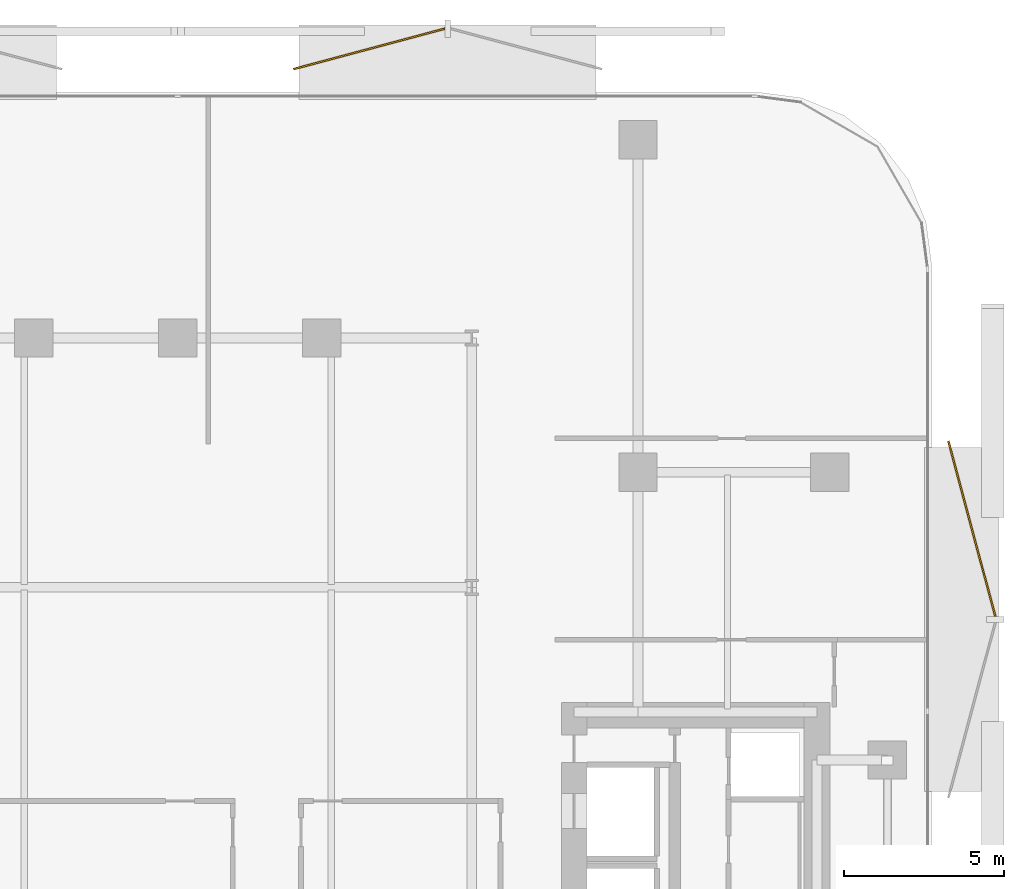
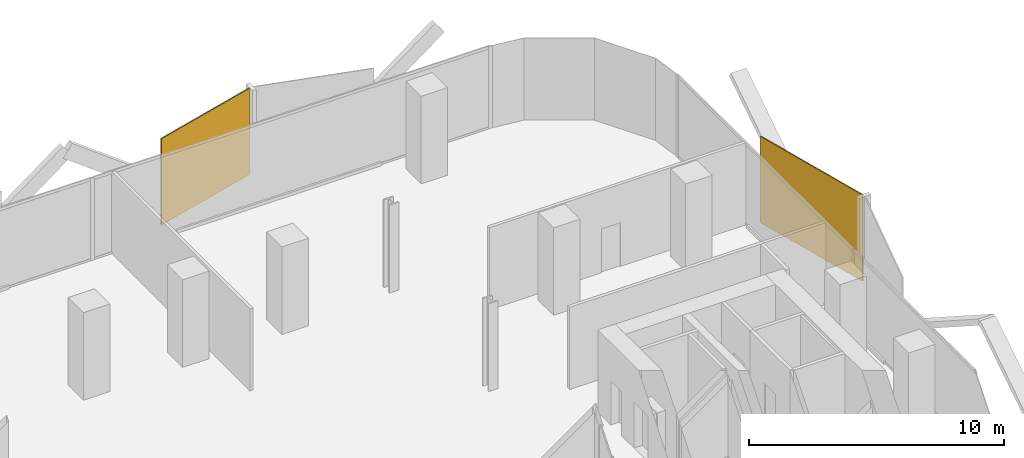
# One storey, part 15 of 15: 2 coverings.
"""IFC4 building model written with IfcOpenShell, lengths in metres."""

import ifcopenshell
import ifcopenshell.guid

model = None  # the IFC model being written
_history = None  # IfcOwnerHistory: only IFC2X3 demands one
_inside = {}  # id of a spatial element -> (the spatial element, [elements in it])
_under = {}  # id of a project, library or spatial element -> (it, [spatial elements below it])
_declared = {}  # id of a project -> (the project, [libraries it declares])
_typed = {}  # id of a type object -> (the type object, [elements of that type])
_made_of = {}  # id of a material, layer set ... -> (it, [elements and type objects made of it])


def new_model(schema):
    """Start an empty IFC model of exactly this schema.

    Asked for "IFC4X3", IfcOpenShell would pick the latest addendum, in which some entities
    have other attributes; the version numbers below select the first issue.
    IFC2X3 requires an IfcOwnerHistory on every rooted entity: one is made here for all.
    """
    global model, _history
    if schema == "IFC4X3":
        model = ifcopenshell.file(schema_version=(4, 3, 0, 0))
    else:
        model = ifcopenshell.file(schema=schema)
    _inside.clear()
    _under.clear()
    _declared.clear()
    _typed.clear()
    _made_of.clear()
    _history = None
    if model.schema == "IFC2X3":
        org = make("IfcOrganization", Name="unknown")
        user = make(
            "IfcPersonAndOrganization",
            ThePerson=make("IfcPerson", FamilyName="unknown"),
            TheOrganization=org,
        )
        app = make(
            "IfcApplication",
            ApplicationDeveloper=org,
            Version="unknown",
            ApplicationFullName="unknown",
            ApplicationIdentifier="unknown",
        )
        _history = make(
            "IfcOwnerHistory",
            OwningUser=user,
            OwningApplication=app,
            ChangeAction="ADDED",
            CreationDate=0,
        )
    return model


def make(cls, **values):
    """One entity of the class cls with the attributes given. An attribute that is None is left unset."""
    return model.create_entity(
        cls, **{name: value for name, value in values.items() if value is not None}
    )


def rooted(cls, **values):
    """An entity with a GlobalId (a new one), such as an element, a storey or a relation."""
    return make(cls, GlobalId=ifcopenshell.guid.new(), OwnerHistory=_history, **values)


def si_unit(unit_type, name, prefix=None):
    """IfcSIUnit, for example si_unit("LENGTHUNIT", "METRE", prefix="MILLI")."""
    return make("IfcSIUnit", UnitType=unit_type, Prefix=prefix, Name=name)


def assignment(units):
    """IfcUnitAssignment: the units of a project."""
    return None if units is None else make("IfcUnitAssignment", Units=units)


def point(xyz):
    """IfcCartesianPoint."""
    return None if xyz is None else make("IfcCartesianPoint", Coordinates=xyz)


def direction(xyz):
    """IfcDirection."""
    return None if xyz is None else make("IfcDirection", DirectionRatios=xyz)


def frame(location, z_axis=None, x_axis=None):
    """IfcAxis2Placement3D, a coordinate frame: its origin and axes. An axis left out is left unset."""
    return make(
        "IfcAxis2Placement3D",
        Location=point(location),
        Axis=direction(z_axis),
        RefDirection=direction(x_axis),
    )


def frame_2d(location, x_axis=None):
    """IfcAxis2Placement2D, a coordinate frame in the plane: its origin and x axis."""
    return make(
        "IfcAxis2Placement2D", Location=point(location), RefDirection=direction(x_axis)
    )


def origin():
    """The frame at (0, 0, 0) with its axes left unset."""
    return frame((0.0, 0.0, 0.0))


def origin_2d():
    """The frame at (0, 0) in the plane with its x axis left unset."""
    return frame_2d((0.0, 0.0))


def place(relative_to, where):
    """IfcLocalPlacement: puts the frame where relative to a parent placement (None: the world)."""
    return make(
        "IfcLocalPlacement", PlacementRelTo=relative_to, RelativePlacement=where
    )


def context(
    kind, dimensions, precision=None, world=None, true_north=None, identifier=None
):
    """IfcGeometricRepresentationContext, for example the 3D "Model" context."""
    return make(
        "IfcGeometricRepresentationContext",
        ContextIdentifier=identifier,
        ContextType=kind,
        CoordinateSpaceDimension=dimensions,
        Precision=precision,
        WorldCoordinateSystem=world,
        TrueNorth=true_north,
    )


def subcontext(parent, identifier, kind, view, scale=None):
    """IfcGeometricRepresentationSubContext, for example "Body" below "Model"."""
    return make(
        "IfcGeometricRepresentationSubContext",
        ContextIdentifier=identifier,
        ContextType=kind,
        ParentContext=parent,
        TargetScale=scale,
        TargetView=view,
    )


def project(units=None, contexts=None):
    """IfcProject with its units and contexts."""
    return rooted(
        "IfcProject",
        Name="project",
        RepresentationContexts=contexts,
        UnitsInContext=assignment(units),
    )


def spatial(cls, under=None, at=None, **own):
    """A site, building, storey or space (cls), placed at a placement, below another one or the project."""
    s = rooted(cls, ObjectPlacement=at, **own)
    if under is not None:
        _under.setdefault(under.id(), (under, []))[1].append(s)
    return s


def profile(cls, at=None, kind="AREA", **sizes):
    """A parametric profile (cls). Its sizes go by their IFC names, for example OverallWidth=200.0."""
    return make(cls, ProfileType=kind, Position=at, **sizes)


def rectangle(**sizes):
    """IfcRectangleProfileDef."""
    return profile("IfcRectangleProfileDef", **sizes)


def extrude(swept, where, along, depth):
    """IfcExtrudedAreaSolid: the profile swept, set in the frame where, extruded along a direction by depth."""
    return make(
        "IfcExtrudedAreaSolid",
        SweptArea=swept,
        Position=where,
        ExtrudedDirection=direction(along),
        Depth=depth,
    )


def shape(context_of_items, identifier, shape_type, items):
    """IfcShapeRepresentation: the items that make up one representation, for example the "Body"."""
    return make(
        "IfcShapeRepresentation",
        ContextOfItems=context_of_items,
        RepresentationIdentifier=identifier,
        RepresentationType=shape_type,
        Items=items,
    )


def material(Name=None, Category=None):
    """IfcMaterial."""
    return make("IfcMaterial", Name=Name, Category=Category)


def layer(
    of_material, thickness, ventilated=None, Name=None, Category=None, Priority=None
):
    """IfcMaterialLayer: one layer of a wall or slab, of a material (None: an air gap)."""
    return make(
        "IfcMaterialLayer",
        Material=of_material,
        LayerThickness=thickness,
        IsVentilated=ventilated,
        Name=Name,
        Category=Category,
        Priority=Priority,
    )


def layer_set(layers, Name=None):
    """IfcMaterialLayerSet."""
    return make("IfcMaterialLayerSet", MaterialLayers=layers, LayerSetName=Name)


def made_of(thing, what):
    """Note that an element or type object is made of a material, layer set ...; save() writes the relation."""
    if what is not None:
        _made_of.setdefault(what.id(), (what, []))[1].append(thing)
    return thing


def type_object(cls, material=None, **own):
    """A type object (cls), such as IfcWallType, which elements share."""
    return made_of(rooted(cls, **own), material)


def element(
    cls,
    number,
    at=None,
    inside=None,
    cuts=None,
    type_object=None,
    material=None,
    context=None,
    identifier="Body",
    shape_type=None,
    held_by="IfcProductDefinitionShape",
    body=None,
    shapes=None,
    **own,
):
    """One element of the class cls, such as IfcWall. Its Tag is "e" and its number.

    at: its placement. inside: the storey or other place that contains it. cuts: it is an
    opening in that element (IfcRelVoidsElement). A single representation is given by context,
    identifier, shape_type and body (its items); several are given by shapes. held_by: the class
    of the entity that holds the representations. save() writes the other relations.
    """
    e = rooted(cls, Tag="e%d" % number, ObjectPlacement=at, **own)
    if body is not None:
        shapes = [shape(context, identifier, shape_type, body)]
    if shapes is not None:
        e.Representation = make(held_by, Representations=shapes)
    if inside is not None:
        _inside.setdefault(inside.id(), (inside, []))[1].append(e)
    if cuts is not None:
        rooted(
            "IfcRelVoidsElement", RelatingBuildingElement=cuts, RelatedOpeningElement=e
        )
    if type_object is not None:
        _typed.setdefault(type_object.id(), (type_object, []))[1].append(e)
    return made_of(e, material)


def aggregate(whole, parts):
    """IfcRelAggregates: a whole, such as a stair, and the parts it consists of."""
    return rooted("IfcRelAggregates", RelatingObject=whole, RelatedObjects=parts)


def save(model, path):
    """Write the relations noted so far, then the file.

    IfcRelAggregates (storeys below a building ...), IfcRelContainedInSpatialStructure (elements
    in a storey), IfcRelDefinesByType, IfcRelAssociatesMaterial and IfcRelDeclares: one each for
    every whole, place, type object, material and project.
    """
    for whole, parts in _under.values():
        aggregate(whole, parts)
    for where, things in _inside.values():
        rooted(
            "IfcRelContainedInSpatialStructure",
            RelatedElements=things,
            RelatingStructure=where,
        )
    for kind, things in _typed.values():
        rooted("IfcRelDefinesByType", RelatedObjects=things, RelatingType=kind)
    for what, things in _made_of.values():
        rooted("IfcRelAssociatesMaterial", RelatedObjects=things, RelatingMaterial=what)
    for by, libraries in _declared.values():
        rooted("IfcRelDeclares", RelatingContext=by, RelatedDefinitions=libraries)
    model.write(path)


model = new_model("IFC4")

# Units and contexts
model_context = context("Model", 3, precision=1e-05, world=origin(), true_north=direction((0.0, 1.0)))
body_context = subcontext(model_context, "Body", "Model", "MODEL_VIEW")
ifc_project = project(units=[si_unit("LENGTHUNIT", "METRE"), si_unit("AREAUNIT", "SQUARE_METRE"), si_unit("VOLUMEUNIT", "CUBIC_METRE"), si_unit("PLANEANGLEUNIT", "RADIAN"), si_unit("MASSUNIT", "GRAM", prefix="KILO")], contexts=[model_context])

# Site, building, storey
site_placement = place(None, origin())
site = spatial("IfcSite", under=ifc_project, at=site_placement, CompositionType="ELEMENT")
building_placement = place(site_placement, origin())
building = spatial("IfcBuilding", under=site, at=building_placement, Name="Khairoan Windgate Tower", CompositionType="ELEMENT")
storey_placement = place(building_placement, frame((0.0, 0.0, 114.199951171875)))
storey = spatial("IfcBuildingStorey", under=building, at=storey_placement, Name="L26", CompositionType="ELEMENT", Elevation=114.199951171875)

# Coverings
ifc_material = material(Name="Anodised Bronze Aluminium 6063-T6", Category="aluminium")
ifc_layer = layer(ifc_material, 0.054931640625, Name="Anodised Bronze Aluminium 6063-T6")
ifc_layer_set = layer_set([ifc_layer], Name="Anodised Bronze Aluminium 6063-T6")
covering_type = type_object("IfcCoveringType", Name="Perforated Bronze-Ceramic Folded Solar Screen Cladding BSC-1", PredefinedType="CLADDING", material=ifc_layer_set)
covering_1_placement = place(storey_placement, frame((5.98974609375, 27.646240234375, -0.10009765625), z_axis=(0.0, 0.0, 1.0), x_axis=(0.965925826289, 0.258819045103, 0.0)))
element("IfcCovering", 1, at=covering_1_placement, inside=storey, type_object=covering_type, Name="L26 Folded Bronze Solar Screen Facet 158L", PredefinedType="CLADDING", context=body_context, shape_type="SweptSolid", body=[
    extrude(rectangle(XDim=4.89794921875, YDim=0.054931640625, at=origin_2d()), origin(), (0.0, 0.0, 1.0), 4.139892578125),
])
covering_2_placement = place(storey_placement, frame((24.8447265625, 12.629150390625, -0.10009765625), z_axis=(0.0, 0.0, 1.0), x_axis=(0.258819045103, -0.965925826289, 0.0)))
element("IfcCovering", 2, at=covering_2_placement, inside=storey, type_object=covering_type, Name="L26 Folded Bronze Solar Screen Facet 159L", PredefinedType="CLADDING", context=body_context, shape_type="SweptSolid", body=[
    extrude(rectangle(XDim=5.680908203125, YDim=0.054931640625, at=origin_2d()), origin(), (0.0, 0.0, 1.0), 4.139892578125),
])

save(model, "model.ifc")
